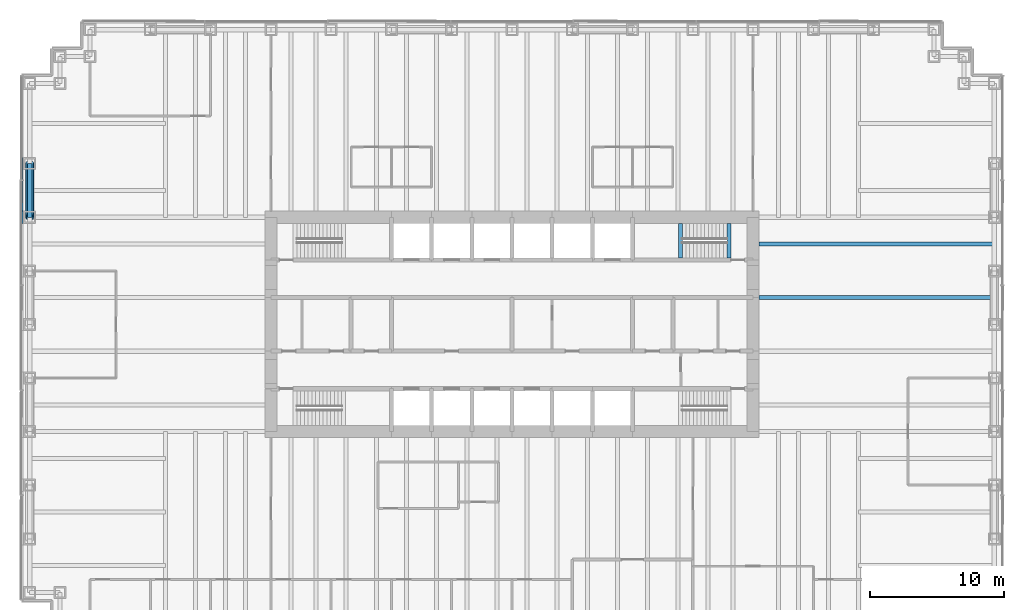
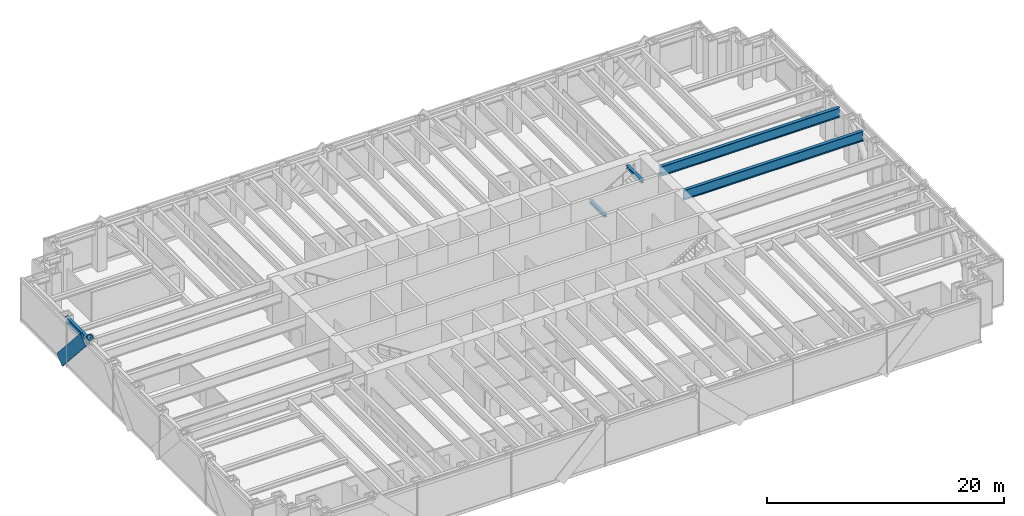
# One storey, part 4 of 13: 5 beams, 2 members, 1 element without a shape of its own.
"""IFC4 building model written with IfcOpenShell, lengths in metres."""

from ifc_helpers import new_model, si_unit, direction, frame, origin, origin_2d, place, context, subcontext, project, spatial, rectangle, hollow_circle, i_section, extrude, material, material_profile, profile_set, type_object, element, aggregate, save


model = new_model("IFC4")

# Units and contexts
model_context = context("Model", 3, precision=1e-05, world=origin(), true_north=direction((0.0, 1.0)))
body_context = subcontext(model_context, "Body", "Model", "MODEL_VIEW")
ifc_project = project(units=[si_unit("LENGTHUNIT", "METRE"), si_unit("AREAUNIT", "SQUARE_METRE"), si_unit("VOLUMEUNIT", "CUBIC_METRE"), si_unit("PLANEANGLEUNIT", "RADIAN"), si_unit("MASSUNIT", "GRAM", prefix="KILO")], contexts=[model_context])

# Site, building, storey
site_placement = place(None, origin())
site = spatial("IfcSite", under=ifc_project, at=site_placement, CompositionType="ELEMENT")
building_placement = place(site_placement, origin())
building = spatial("IfcBuilding", under=site, at=building_placement, Name="Rheinbord Bourse Tower", CompositionType="ELEMENT")
storey_placement = place(building_placement, frame((0.0, 0.0, 86.0)))
storey = spatial("IfcBuildingStorey", under=building, at=storey_placement, Name="L18", CompositionType="ELEMENT", Elevation=86.0)

# Curtain wall, member
ifc_material_1 = material(Name="Dark glass and black aluminium", Category="aluminium")
curtain_wall_type = type_object("IfcCurtainWallType", Name="CW1 DARK GLASS CURTAIN WALL", PredefinedType="USERDEFINED", material=ifc_material_1)
curtain_wall_placement = place(storey_placement, origin())
curtain_wall = element("IfcCurtainWall", 1, at=curtain_wall_placement, inside=storey, type_object=curtain_wall_type, Name="Curtain wall CW1 W L18", ObjectType="UNITISED CURTAIN WALL", PredefinedType="USERDEFINED")
ifc_material_2 = material(Name="Black anodised aluminium", Category="aluminium")
ifc_material_profile_1 = material_profile(ifc_material_2, rectangle(XDim=0.179931640625, YDim=1.2099609375, at=origin_2d()), Name="CW1 DIAGONAL MULLION 1210x180")
ifc_profile_set_1 = profile_set([ifc_material_profile_1], Name="Black anodised aluminium")
member_type_1 = type_object("IfcMemberType", Name="CW1 BLACK DIAGONAL MULLION", PredefinedType="USERDEFINED", material=ifc_profile_set_1)
member_1_placement = place(storey_placement, frame((-0.60009765625, 36.0, 0.0), z_axis=(0.0, -0.66436383883, 0.747409318684), x_axis=(1.0, 0.0, 0.0)))
member_1 = element("IfcMember", 2, at=member_1_placement, type_object=member_type_1, Name="CW1 diagonal mullion b", ObjectType="DIAGONAL MULLION", PredefinedType="USERDEFINED", context=body_context, shape_type="SweptSolid", body=[
    extrude(rectangle(XDim=0.179931640625, YDim=1.2099609375, at=origin_2d()), origin(), (0.0, 0.0, 1.0), 6.020751953125),
])
aggregate(curtain_wall, [member_1])

# Beams
ifc_material_3 = material(Name="Steel S460", Category="steel")
ifc_material_profile_2 = material_profile(ifc_material_3, i_section(OverallWidth=0.302001953125, OverallDepth=1.008056640625, WebThickness=0.02099609375, FlangeThickness=0.0400390625, at=origin_2d()), Name="HEM 1000")
ifc_profile_set_2 = profile_set([ifc_material_profile_2], Name="Steel S460")
beam_type_1 = type_object("IfcBeamType", Name="END BEAM HEM 1000", PredefinedType="BEAM", material=ifc_profile_set_2)
for number, where, z_axis, x_axis, name in (
    (3, (54.449951171875, 26.0, 3.81591796875), (1.0, 0.0, 0.0), (0.0, 1.0, 0.0), "End beam east 26 L19"),
    (4, (54.449951171875, 30.0, 3.81591796875), (1.0, 0.0, 0.0), (0.0, 1.0, 0.0), "End beam east 30 L19"),
):
    element("IfcBeam", number, at=place(storey_placement, frame(where, z_axis=z_axis, x_axis=x_axis)), inside=storey, type_object=beam_type_1, Name=name, PredefinedType="BEAM", context=body_context, shape_type="SweptSolid", body=[
        extrude(i_section(OverallWidth=0.302001953125, OverallDepth=1.008056640625, WebThickness=0.02099609375, FlangeThickness=0.0400390625, at=origin_2d()), origin(), (0.0, 0.0, 1.0), 17.550048828125),
    ])
ifc_material_4 = material(Name="Steel S460", Category="steel")
ifc_material_profile_3 = material_profile(ifc_material_4, i_section(OverallWidth=0.300048828125, OverallDepth=0.300048828125, WebThickness=0.010986328125, FlangeThickness=0.01904296875, at=origin_2d()), Name="HEB 300")
ifc_profile_set_3 = profile_set([ifc_material_profile_3], Name="Steel S460")
beam_type_2 = type_object("IfcBeamType", Name="LANDING TRIMMER HEB 300", PredefinedType="BEAM", material=ifc_profile_set_3)
for number, where, z_axis, x_axis, name in (
    (5, (48.590087890625, 28.949951171875, 1.89990234375), (0.0, 1.0, 0.0), (-1.0, 0.0, 0.0), "Landing trimmer ST4 L18"),
    (6, (52.199951171875, 28.949951171875, 4.169921875), (0.0, 1.0, 0.0), (-1.0, 0.0, 0.0), "Well trimmer ST4 under L19"),
):
    element("IfcBeam", number, at=place(storey_placement, frame(where, z_axis=z_axis, x_axis=x_axis)), inside=storey, type_object=beam_type_2, Name=name, PredefinedType="BEAM", context=body_context, shape_type="SweptSolid", body=[
        extrude(i_section(OverallWidth=0.300048828125, OverallDepth=0.300048828125, WebThickness=0.010986328125, FlangeThickness=0.01904296875, at=origin_2d()), origin(), (0.0, 0.0, 1.0), 2.60009765625),
    ])

# Member
ifc_material_5 = material(Name="Steel S460", Category="steel")
ifc_material_profile_4 = material_profile(ifc_material_5, hollow_circle(Radius=0.304931640625, WallThickness=0.050048828125, at=origin_2d()), Name="CHS 610x50")
ifc_profile_set_4 = profile_set([ifc_material_profile_4], Name="Steel S460")
member_type_2 = type_object("IfcMemberType", Name="MEGABRACE CHS 610x50", PredefinedType="BRACE", material=ifc_profile_set_4)
member_2_placement = place(storey_placement, frame((0.0, 36.0, 0.0), z_axis=(0.0, -0.66436383883, 0.747409318684), x_axis=(1.0, 0.0, 0.0)))
element("IfcMember", 7, at=member_2_placement, inside=storey, type_object=member_type_2, Name="Megabrace W face line b L18", PredefinedType="BRACE", context=body_context, shape_type="SweptSolid", body=[
    extrude(hollow_circle(Radius=0.304931640625, WallThickness=0.050048828125, at=origin_2d()), origin(), (0.0, 0.0, 1.0), 6.020751953125),
])

# Beam
ifc_material_6 = material(Name="Steel S460", Category="steel")
ifc_material_profile_5 = material_profile(ifc_material_6, i_section(OverallWidth=0.304931640625, OverallDepth=0.6201171875, WebThickness=0.02099609375, FlangeThickness=0.0400390625, at=origin_2d()), Name="HEM 600")
ifc_profile_set_5 = profile_set([ifc_material_profile_5], Name="Steel S460")
beam_type_3 = type_object("IfcBeamType", Name="SPANDREL HEM 600", PredefinedType="SPANDREL", material=ifc_profile_set_5)
beam_placement = place(storey_placement, frame((0.0, 36.0, 4.010009765625), z_axis=(0.0, -1.0, 0.0), x_axis=(1.0, 0.0, 0.0)))
element("IfcBeam", 8, at=beam_placement, inside=storey, type_object=beam_type_3, Name="Spandrel W-36-W-32 under L19", PredefinedType="SPANDREL", context=body_context, shape_type="SweptSolid", body=[
    extrude(i_section(OverallWidth=0.304931640625, OverallDepth=0.6201171875, WebThickness=0.02099609375, FlangeThickness=0.0400390625, at=origin_2d()), origin(), (0.0, 0.0, 1.0), 4.0),
])

save(model, "model.ifc")
